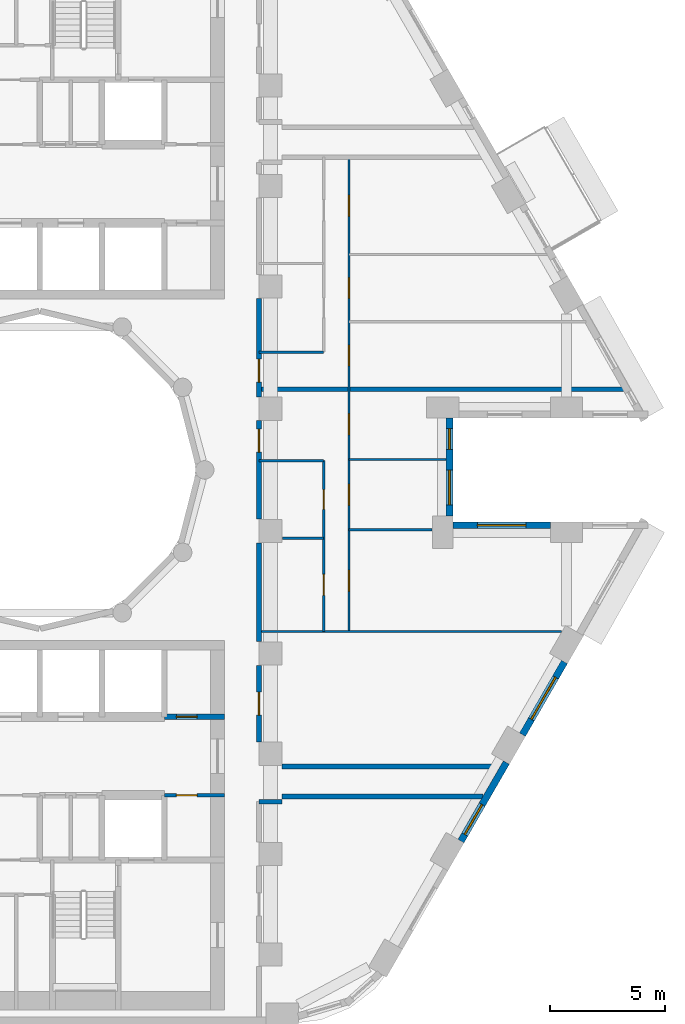
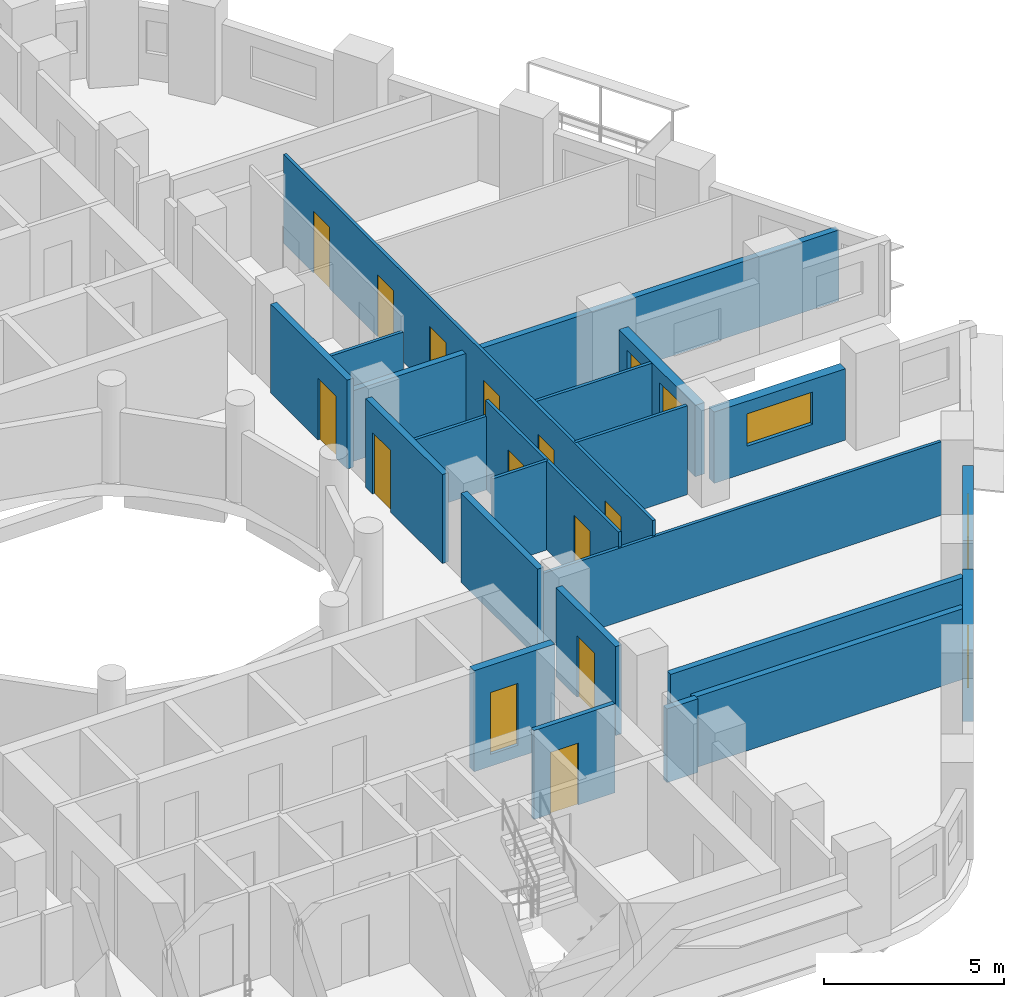
# One storey, part 5 of 13: 22 walls, 13 doors, 5 windows, 18 openings.
"""IFC4 building model written with IfcOpenShell, lengths in metres."""

from ifc_helpers import new_model, si_unit, direction, frame, frame_2d, origin, place, context, subcontext, project, spatial, rectangle, extrude, material, layer, layer_set, type_object, element, fill, save


model = new_model("IFC4")

# Units and contexts
model_context = context("Model", 3, precision=1e-05, world=origin(), true_north=direction((0.0, 1.0)))
body_context = subcontext(model_context, "Body", "Model", "MODEL_VIEW")
ifc_project = project(units=[si_unit("LENGTHUNIT", "METRE"), si_unit("AREAUNIT", "SQUARE_METRE"), si_unit("VOLUMEUNIT", "CUBIC_METRE"), si_unit("PLANEANGLEUNIT", "RADIAN"), si_unit("MASSUNIT", "GRAM", prefix="KILO")], contexts=[model_context])

# Site, building, storey
site_placement = place(None, origin())
site = spatial("IfcSite", under=ifc_project, at=site_placement, CompositionType="ELEMENT")
building_placement = place(site_placement, origin())
building = spatial("IfcBuilding", under=site, at=building_placement, Name="Nakaniwa Court", CompositionType="ELEMENT")
storey_placement = place(building_placement, frame((0.0, 0.0, 77.699951171875)))
storey = spatial("IfcBuildingStorey", under=building, at=storey_placement, Name="L19", CompositionType="ELEMENT", Elevation=77.699951171875)

# Wall, opening, door
ifc_material_1 = material(Name="Acoustic double stud partition")
ifc_layer_1 = layer(ifc_material_1, 0.199951171875)
ifc_layer_set_1 = layer_set([ifc_layer_1], Name="Acoustic double stud partition")
wall_type_1 = type_object("IfcWallType", Name="Acoustic double stud partition 200", PredefinedType="PARTITIONING", material=ifc_layer_set_1)
wall_1_placement = place(storey_placement, frame((89.5, 71.532958984375, 0.0), z_axis=(0.0, 0.0, 1.0), x_axis=(0.0, -1.0, 0.0)))
wall_1 = element("IfcWall", 1, at=wall_1_placement, inside=storey, type_object=wall_type_1, Name="Partition PW-072", PredefinedType="PARTITIONING", context=body_context, shape_type="SweptSolid", body=[
    extrude(rectangle(XDim=3.31591796875, YDim=0.199951171875, at=frame_2d((1.657958984375, 0.0))), origin(), (0.0, 0.0, 1.0), 3.025146484375),
])
opening_1_placement = place(wall_1_placement, frame((1.157958984375, 0.0, 0.0)))
opening_1 = element("IfcOpeningElement", 2, at=opening_1_placement, cuts=wall_1, Name="Opening D-02-01", PredefinedType="OPENING", context=body_context, shape_type="SweptSolid", body=[
    extrude(rectangle(XDim=1.0, YDim=2.10009765625, at=frame_2d((0.5, 1.050048828125))), frame((0.0, 0.10986328125, 0.0), z_axis=(0.0, -1.0, 0.0), x_axis=(1.0, 0.0, 0.0)), (0.0, 0.0, 1.0), 0.219970703125),
])
ifc_material_2 = material(Name="Solid core timber door set, black veneer", Category="wood")
door_type_1 = type_object("IfcDoorType", Name="Internal door 1000", OperationType="NOTDEFINED", PredefinedType="DOOR", material=ifc_material_2)
door_1_placement = place(opening_1_placement, origin())
door_1 = element("IfcDoor", 3, at=door_1_placement, inside=storey, type_object=door_type_1, Name="Door D-02-01 L19-027", OperationType="SINGLE_SWING_RIGHT", OverallHeight=2.10009765625, OverallWidth=1.0, PredefinedType="DOOR", context=body_context, shape_type="SweptSolid", body=[
    extrude(rectangle(XDim=1.0, YDim=2.10009765625, at=frame_2d((0.5, 1.050048828125))), frame((0.0, 0.02490234375, 0.0), z_axis=(0.0, -1.0, 0.0), x_axis=(1.0, 0.0, 0.0)), (0.0, 0.0, 1.0), 0.050048828125),
])
fill(opening_1, door_1)

# Wall
wall_2_placement = place(storey_placement, frame((89.5, 72.56689453125, 0.0), z_axis=(0.0, 0.0, 1.0), x_axis=(0.0, 1.0, 0.0)))
element("IfcWall", 4, at=wall_2_placement, inside=storey, type_object=wall_type_1, Name="Partition PW-073", PredefinedType="PARTITIONING", context=body_context, shape_type="SweptSolid", body=[
    extrude(rectangle(XDim=4.26611328125, YDim=0.199951171875, at=frame_2d((2.133056640625, 0.0))), origin(), (0.0, 0.0, 1.0), 3.025146484375),
])

# Wall, opening, door
wall_3_placement = place(storey_placement, frame((89.5, 82.133056640625, 0.0), z_axis=(0.0, 0.0, 1.0), x_axis=(0.0, -1.0, 0.0)))
wall_3 = element("IfcWall", 5, at=wall_3_placement, inside=storey, type_object=wall_type_1, Name="Partition PW-074", PredefinedType="PARTITIONING", context=body_context, shape_type="SweptSolid", body=[
    extrude(rectangle(XDim=4.26611328125, YDim=0.199951171875, at=frame_2d((2.133056640625, 0.0))), origin(), (0.0, 0.0, 1.0), 3.025146484375),
])
opening_2_placement = place(wall_3_placement, frame((0.367919921875, 0.0, 0.0)))
opening_2 = element("IfcOpeningElement", 6, at=opening_2_placement, cuts=wall_3, Name="Opening D-01-01", PredefinedType="OPENING", context=body_context, shape_type="SweptSolid", body=[
    extrude(rectangle(XDim=1.0, YDim=2.10009765625, at=frame_2d((0.5, 1.050048828125))), frame((0.0, 0.10986328125, 0.0), z_axis=(0.0, -1.0, 0.0), x_axis=(1.0, 0.0, 0.0)), (0.0, 0.0, 1.0), 0.219970703125),
])
door_type_2 = type_object("IfcDoorType", Name="Flat entrance door 1000", OperationType="NOTDEFINED", PredefinedType="DOOR", material=ifc_material_2)
door_2_placement = place(opening_2_placement, origin())
door_2 = element("IfcDoor", 7, at=door_2_placement, inside=storey, type_object=door_type_2, Name="Door D-01-01 L19-028", OperationType="SINGLE_SWING_LEFT", OverallHeight=2.10009765625, OverallWidth=1.0, PredefinedType="DOOR", context=body_context, shape_type="SweptSolid", body=[
    extrude(rectangle(XDim=1.0, YDim=2.10009765625, at=frame_2d((0.5, 1.050048828125))), frame((0.0, 0.02490234375, 0.0), z_axis=(0.0, -1.0, 0.0), x_axis=(1.0, 0.0, 0.0)), (0.0, 0.0, 1.0), 0.050048828125),
])
fill(opening_2, door_2)

wall_4_placement = place(storey_placement, frame((89.5, 87.43310546875, 0.0), z_axis=(0.0, 0.0, 1.0), x_axis=(0.0, -1.0, 0.0)))
wall_4 = element("IfcWall", 8, at=wall_4_placement, inside=storey, type_object=wall_type_1, Name="Partition PW-075", PredefinedType="PARTITIONING", context=body_context, shape_type="SweptSolid", body=[
    extrude(rectangle(XDim=4.26611328125, YDim=0.199951171875, at=frame_2d((2.133056640625, 0.0))), origin(), (0.0, 0.0, 1.0), 3.025146484375),
])
opening_3_placement = place(wall_4_placement, frame((2.633056640625, 0.0, 0.0)))
opening_3 = element("IfcOpeningElement", 9, at=opening_3_placement, cuts=wall_4, Name="Opening D-01-02", PredefinedType="OPENING", context=body_context, shape_type="SweptSolid", body=[
    extrude(rectangle(XDim=1.0, YDim=2.10009765625, at=frame_2d((0.5, 1.050048828125))), frame((0.0, 0.10986328125, 0.0), z_axis=(0.0, -1.0, 0.0), x_axis=(1.0, 0.0, 0.0)), (0.0, 0.0, 1.0), 0.219970703125),
])
door_3_placement = place(opening_3_placement, origin())
door_3 = element("IfcDoor", 10, at=door_3_placement, inside=storey, type_object=door_type_2, Name="Door D-01-02 L19-034", OperationType="SINGLE_SWING_LEFT", OverallHeight=2.10009765625, OverallWidth=1.0, PredefinedType="DOOR", context=body_context, shape_type="SweptSolid", body=[
    extrude(rectangle(XDim=1.0, YDim=2.10009765625, at=frame_2d((0.5, 1.050048828125))), frame((0.0, 0.02490234375, 0.0), z_axis=(0.0, -1.0, 0.0), x_axis=(1.0, 0.0, 0.0)), (0.0, 0.0, 1.0), 0.050048828125),
])
fill(opening_3, door_3)

# Walls
wall_5_placement = place(storey_placement, frame((90.5, 67.14990234375, 0.0), z_axis=(0.0, 0.0, 1.0), x_axis=(1.0, 0.0, 0.0)))
element("IfcWall", 11, at=wall_5_placement, inside=storey, type_object=wall_type_1, Name="Partition PW-090", PredefinedType="PARTITIONING", context=body_context, shape_type="SweptSolid", body=[
    extrude(rectangle(XDim=9.447509765625, YDim=0.199951171875, at=frame_2d((4.7236328125, 0.0))), origin(), (0.0, 0.0, 1.0), 2.405029296875),
])
wall_6_placement = place(storey_placement, frame((90.5, 65.85009765625, 0.0), z_axis=(0.0, 0.0, 1.0), x_axis=(1.0, 0.0, 0.0)))
element("IfcWall", 12, at=wall_6_placement, inside=storey, type_object=wall_type_1, Name="Partition PW-092", PredefinedType="PARTITIONING", context=body_context, shape_type="SweptSolid", body=[
    extrude(rectangle(XDim=8.697021484375, YDim=0.199951171875, at=frame_2d((4.3486328125, 0.0))), origin(), (0.0, 0.0, 1.0), 2.405029296875),
])
wall_7_placement = place(storey_placement, frame((89.5, 65.625, 0.0), z_axis=(0.0, 0.0, 1.0), x_axis=(1.0, 0.0, 0.0)))
element("IfcWall", 13, at=wall_7_placement, inside=storey, type_object=wall_type_1, Name="Partition PW-094", PredefinedType="PARTITIONING", context=body_context, shape_type="SweptSolid", body=[
    extrude(rectangle(XDim=1.0, YDim=0.199951171875, at=frame_2d((0.5, 0.0))), origin(), (0.0, 0.0, 1.0), 2.505126953125),
])
wall_8_placement = place(storey_placement, frame((89.5, 83.5, 0.0), z_axis=(0.0, 0.0, 1.0), x_axis=(1.0, 0.0, 0.0)))
element("IfcWall", 14, at=wall_8_placement, inside=storey, type_object=wall_type_1, Name="Partition PW-113", PredefinedType="PARTITIONING", context=body_context, shape_type="SweptSolid", body=[
    extrude(rectangle(XDim=15.845703125, YDim=0.199951171875, at=frame_2d((7.9228515625, 0.0))), origin(), (0.0, 0.0, 1.0), 2.405029296875),
])

# Wall, opening, window
ifc_material_3 = material(Name="Charcoal ceramic cladding")
ifc_layer_2 = layer(ifc_material_3, 0.02, Name="Ceramic cladding")
ifc_material_4 = material(Name="Ventilated air cavity")
ifc_layer_3 = layer(ifc_material_4, 0.04, ventilated=True, Name="Ventilated cavity")
ifc_material_5 = material(Name="Mineral wool insulation")
ifc_layer_4 = layer(ifc_material_5, 0.1, Name="Insulation")
ifc_material_6 = material(Name="Cement bonded sheathing board")
ifc_layer_5 = layer(ifc_material_6, 0.012, Name="Sheathing")
ifc_material_7 = material(Name="Cold-formed galvanised stud frame with mineral wool infill")
ifc_layer_6 = layer(ifc_material_7, 0.1, Name="Stud frame")
ifc_material_8 = material(Name="Fire-rated gypsum plasterboard lining")
ifc_layer_7 = layer(ifc_material_8, 0.028, Name="Lining")
ifc_layer_set_2 = layer_set([ifc_layer_2, ifc_layer_3, ifc_layer_4, ifc_layer_5, ifc_layer_6, ifc_layer_7], Name="Charcoal ceramic faced external wall system")
wall_type_2 = type_object("IfcWallType", Name="Black ceramic faced external wall 300", PredefinedType="SOLIDWALL", material=ifc_layer_set_2)
wall_9_placement = place(storey_placement, frame((98.25341796875, 63.91552734375, 0.0), z_axis=(0.0, 0.0, 1.0), x_axis=(0.499957037901, 0.866050206543, 0.0)))
wall_9 = element("IfcWall", 15, at=wall_9_placement, inside=storey, type_object=wall_type_2, Name="L19 external wall 30", PredefinedType="SOLIDWALL", context=body_context, shape_type="SweptSolid", body=[
    extrude(rectangle(XDim=3.933837890625, YDim=0.300048828125, at=frame_2d((1.966796875, 0.0))), origin(), (0.0, 0.0, 1.0), 2.425048828125),
])
opening_4_placement = place(wall_9_placement, frame((0.32958984375, 0.0, 0.89990234375)))
opening_4 = element("IfcOpeningElement", 16, at=opening_4_placement, cuts=wall_9, Name="Opening W5.30", PredefinedType="OPENING", context=body_context, shape_type="SweptSolid", body=[
    extrude(rectangle(XDim=1.5, YDim=1.10009765625, at=frame_2d((0.75, 0.550048828125))), frame((0.0, 0.159912109375, 0.0), z_axis=(0.0, -1.0, 0.0), x_axis=(1.0, 0.0, 0.0)), (0.0, 0.0, 1.0), 0.320068359375),
])
ifc_material_9 = material(Name="Black anodised aluminium frame with dark low-E laminated double glazing", Category="aluminium")
window_type_1 = type_object("IfcWindowType", Name="Dark glass window 1500x1100 sill 900", PartitioningType="SINGLE_PANEL", PredefinedType="WINDOW", material=ifc_material_9)
window_1_placement = place(opening_4_placement, origin())
window_1 = element("IfcWindow", 17, at=window_1_placement, inside=storey, type_object=window_type_1, Name="L19 habitable room window 30-0", OverallHeight=1.10009765625, OverallWidth=1.5, PartitioningType="SINGLE_PANEL", PredefinedType="WINDOW", context=body_context, shape_type="SweptSolid", body=[
    extrude(rectangle(XDim=1.5, YDim=1.10009765625, at=frame_2d((0.75, 0.550048828125))), frame((0.0, 0.030029296875, 0.0), z_axis=(0.0, -1.0, 0.0), x_axis=(1.0, 0.0, 0.0)), (0.0, 0.0, 1.0), 0.06005859375),
])
fill(opening_4, window_1)

wall_10_placement = place(storey_placement, frame((100.916259765625, 68.528076171875, 0.0), z_axis=(0.0, 0.0, 1.0), x_axis=(0.500009139881, 0.866020126807, 0.0)))
wall_10 = element("IfcWall", 18, at=wall_10_placement, inside=storey, type_object=wall_type_2, Name="L19 external wall 31", PredefinedType="SOLIDWALL", context=body_context, shape_type="SweptSolid", body=[
    extrude(rectangle(XDim=3.63671875, YDim=0.300048828125, at=frame_2d((1.818359375, 0.0))), origin(), (0.0, 0.0, 1.0), 2.425048828125),
])
opening_5_placement = place(wall_10_placement, frame((0.768310546875, 0.0, 0.89990234375)))
opening_5 = element("IfcOpeningElement", 19, at=opening_5_placement, cuts=wall_10, Name="Opening W7.31", PredefinedType="OPENING", context=body_context, shape_type="SweptSolid", body=[
    extrude(rectangle(XDim=2.10009765625, YDim=1.10009765625, at=frame_2d((1.050048828125, 0.550048828125))), frame((0.0, 0.159912109375, 0.0), z_axis=(0.0, -1.0, 0.0), x_axis=(1.0, 0.0, 0.0)), (0.0, 0.0, 1.0), 0.320068359375),
])
window_type_2 = type_object("IfcWindowType", Name="Dark glass window 2100x1100 sill 900", PartitioningType="SINGLE_PANEL", PredefinedType="WINDOW", material=ifc_material_9)
window_2_placement = place(opening_5_placement, origin())
window_2 = element("IfcWindow", 20, at=window_2_placement, inside=storey, type_object=window_type_2, Name="L19 habitable room window 31-0", OverallHeight=1.10009765625, OverallWidth=2.10009765625, PartitioningType="SINGLE_PANEL", PredefinedType="WINDOW", context=body_context, shape_type="SweptSolid", body=[
    extrude(rectangle(XDim=2.10009765625, YDim=1.10009765625, at=frame_2d((1.050048828125, 0.550048828125))), frame((0.0, 0.030029296875, 0.0), z_axis=(0.0, -1.0, 0.0), x_axis=(1.0, 0.0, 0.0)), (0.0, 0.0, 1.0), 0.06005859375),
])
fill(opening_5, window_2)

wall_11_placement = place(storey_placement, frame((102.126953125, 77.60009765625, 0.0), z_axis=(0.0, 0.0, 1.0), x_axis=(-1.0, 0.0, 0.0)))
wall_11 = element("IfcWall", 21, at=wall_11_placement, inside=storey, type_object=wall_type_2, Name="L19 external wall 34", PredefinedType="SOLIDWALL", context=body_context, shape_type="SweptSolid", body=[
    extrude(rectangle(XDim=4.22265625, YDim=0.300048828125, at=frame_2d((2.111328125, 0.0))), origin(), (0.0, 0.0, 1.0), 2.425048828125),
])
opening_6_placement = place(wall_11_placement, frame((1.061279296875, 0.0, 0.89990234375)))
opening_6 = element("IfcOpeningElement", 22, at=opening_6_placement, cuts=wall_11, Name="Opening W7.34", PredefinedType="OPENING", context=body_context, shape_type="SweptSolid", body=[
    extrude(rectangle(XDim=2.10009765625, YDim=1.10009765625, at=frame_2d((1.050048828125, 0.550048828125))), frame((0.0, 0.159912109375, 0.0), z_axis=(0.0, -1.0, 0.0), x_axis=(1.0, 0.0, 0.0)), (0.0, 0.0, 1.0), 0.320068359375),
])
window_3_placement = place(opening_6_placement, origin())
window_3 = element("IfcWindow", 23, at=window_3_placement, inside=storey, type_object=window_type_2, Name="L19 living window 34-0", OverallHeight=1.10009765625, OverallWidth=2.10009765625, PartitioningType="SINGLE_PANEL", PredefinedType="WINDOW", context=body_context, shape_type="SweptSolid", body=[
    extrude(rectangle(XDim=2.10009765625, YDim=1.10009765625, at=frame_2d((1.050048828125, 0.550048828125))), frame((0.0, 0.030029296875, 0.0), z_axis=(0.0, -1.0, 0.0), x_axis=(1.0, 0.0, 0.0)), (0.0, 0.0, 1.0), 0.06005859375),
])
fill(opening_6, window_3)

# Wall, openings, windows
wall_12_placement = place(storey_placement, frame((97.75830078125, 77.99609375, 0.0), z_axis=(0.0, 0.0, 1.0), x_axis=(0.0, 1.0, 0.0)))
wall_12 = element("IfcWall", 24, at=wall_12_placement, inside=storey, type_object=wall_type_2, Name="L19 external wall 35", PredefinedType="SOLIDWALL", context=body_context, shape_type="SweptSolid", body=[
    extrude(rectangle(XDim=4.2578125, YDim=0.300048828125, at=frame_2d((2.12890625, 0.0))), origin(), (0.0, 0.0, 1.0), 2.425048828125),
])
opening_7_placement = place(wall_12_placement, frame((0.48974609375, 0.0, 0.89990234375)))
opening_7 = element("IfcOpeningElement", 25, at=opening_7_placement, cuts=wall_12, Name="Opening W5.35", PredefinedType="OPENING", context=body_context, shape_type="SweptSolid", body=[
    extrude(rectangle(XDim=1.5, YDim=1.10009765625, at=frame_2d((0.75, 0.550048828125))), frame((0.0, 0.159912109375, 0.0), z_axis=(0.0, -1.0, 0.0), x_axis=(1.0, 0.0, 0.0)), (0.0, 0.0, 1.0), 0.320068359375),
])
opening_8_placement = place(wall_12_placement, frame((2.894775390625, 0.0, 0.89990234375)))
opening_8 = element("IfcOpeningElement", 26, at=opening_8_placement, cuts=wall_12, Name="Opening W9.36", PredefinedType="OPENING", context=body_context, shape_type="SweptSolid", body=[
    extrude(rectangle(XDim=0.89990234375, YDim=1.10009765625, at=frame_2d((0.449951171875, 0.550048828125))), frame((0.0, 0.159912109375, 0.0), z_axis=(0.0, -1.0, 0.0), x_axis=(1.0, 0.0, 0.0)), (0.0, 0.0, 1.0), 0.320068359375),
])
window_4_placement = place(opening_7_placement, origin())
window_4 = element("IfcWindow", 27, at=window_4_placement, inside=storey, type_object=window_type_1, Name="L19 bedroom window 35-0", OverallHeight=1.10009765625, OverallWidth=1.5, PartitioningType="SINGLE_PANEL", PredefinedType="WINDOW", context=body_context, shape_type="SweptSolid", body=[
    extrude(rectangle(XDim=1.5, YDim=1.10009765625, at=frame_2d((0.75, 0.550048828125))), frame((0.0, 0.030029296875, 0.0), z_axis=(0.0, -1.0, 0.0), x_axis=(1.0, 0.0, 0.0)), (0.0, 0.0, 1.0), 0.06005859375),
])
fill(opening_7, window_4)
window_type_3 = type_object("IfcWindowType", Name="Dark glass window 900x1100 sill 900", PartitioningType="SINGLE_PANEL", PredefinedType="WINDOW", material=ifc_material_9)
window_5_placement = place(opening_8_placement, origin())
window_5 = element("IfcWindow", 28, at=window_5_placement, inside=storey, type_object=window_type_3, Name="L19 bedroom window 35-1", OverallHeight=1.10009765625, OverallWidth=0.89990234375, PartitioningType="SINGLE_PANEL", PredefinedType="WINDOW", context=body_context, shape_type="SweptSolid", body=[
    extrude(rectangle(XDim=0.89990234375, YDim=1.10009765625, at=frame_2d((0.449951171875, 0.550048828125))), frame((0.0, 0.030029296875, 0.0), z_axis=(0.0, -1.0, 0.0), x_axis=(1.0, 0.0, 0.0)), (0.0, 0.0, 1.0), 0.06005859375),
])
fill(opening_8, window_5)

# Wall, opening, door
ifc_material_10 = material(Name="Blockwork partition", Category="masonry")
ifc_layer_8 = layer(ifc_material_10, 0.14990234375)
ifc_layer_set_3 = layer_set([ifc_layer_8], Name="Blockwork partition")
wall_type_3 = type_object("IfcWallType", Name="Blockwork partition 150", PredefinedType="PARTITIONING", material=ifc_layer_set_3)
wall_13_placement = place(storey_placement, frame((88.0, 65.89990234375, 0.0), z_axis=(0.0, 0.0, 1.0), x_axis=(-1.0, 0.0, 0.0)))
wall_13 = element("IfcWall", 29, at=wall_13_placement, inside=storey, type_object=wall_type_3, Name="Partition PW-052", PredefinedType="PARTITIONING", context=body_context, shape_type="SweptSolid", body=[
    extrude(rectangle(XDim=2.60302734375, YDim=0.14990234375, at=frame_2d((1.301513671875, 0.0))), origin(), (0.0, 0.0, 1.0), 3.025146484375),
])
opening_9_placement = place(wall_13_placement, frame((1.175048828125, 0.0, 0.0)))
opening_9 = element("IfcOpeningElement", 30, at=opening_9_placement, cuts=wall_13, Name="Opening D-05-14", PredefinedType="OPENING", context=body_context, shape_type="SweptSolid", body=[
    extrude(rectangle(XDim=0.89990234375, YDim=2.10009765625, at=frame_2d((0.449951171875, 1.050048828125))), frame((0.0, 0.0849609375, 0.0), z_axis=(0.0, -1.0, 0.0), x_axis=(1.0, 0.0, 0.0)), (0.0, 0.0, 1.0), 0.169921875),
])
ifc_material_11 = material(Name="Fire rated steel door set", Category="steel")
door_type_3 = type_object("IfcDoorType", Name="Service room door 900", OperationType="NOTDEFINED", PredefinedType="DOOR", material=ifc_material_11)
door_4_placement = place(opening_9_placement, origin())
door_4 = element("IfcDoor", 31, at=door_4_placement, inside=storey, type_object=door_type_3, Name="Door D-05-14 L19-021", OperationType="SINGLE_SWING_RIGHT", OverallHeight=2.10009765625, OverallWidth=0.89990234375, PredefinedType="DOOR", context=body_context, shape_type="SweptSolid", body=[
    extrude(rectangle(XDim=0.89990234375, YDim=2.10009765625, at=frame_2d((0.449951171875, 1.050048828125))), frame((0.0, 0.02490234375, 0.0), z_axis=(0.0, -1.0, 0.0), x_axis=(1.0, 0.0, 0.0)), (0.0, 0.0, 1.0), 0.050048828125),
])
fill(opening_9, door_4)

ifc_material_12 = material(Name="Concrete C80/100", Category="concrete")
ifc_layer_9 = layer(ifc_material_12, 0.25)
ifc_layer_set_4 = layer_set([ifc_layer_9], Name="Concrete C80/100")
wall_type_4 = type_object("IfcWallType", Name="Concrete shaft wall 250 C80", PredefinedType="SHEAR", material=ifc_layer_set_4)
wall_14_placement = place(storey_placement, frame((85.39990234375, 69.300048828125, -0.409912109375), z_axis=(0.0, 0.0, 1.0), x_axis=(1.0, 0.0, 0.0)))
wall_14 = element("IfcWall", 32, at=wall_14_placement, inside=storey, type_object=wall_type_4, Name="Core wall SW-48", PredefinedType="SHEAR", context=body_context, shape_type="SweptSolid", body=[
    extrude(rectangle(XDim=2.60009765625, YDim=0.25, at=frame_2d((1.300048828125, 0.0))), origin(), (0.0, 0.0, 1.0), 3.43505859375),
])
opening_10_placement = place(wall_14_placement, frame((0.52490234375, 0.0, 0.409912109375)))
opening_10 = element("IfcOpeningElement", 33, at=opening_10_placement, cuts=wall_14, Name="Opening D-05-10", PredefinedType="OPENING", context=body_context, shape_type="SweptSolid", body=[
    extrude(rectangle(XDim=0.89990234375, YDim=2.10009765625, at=frame_2d((0.449951171875, 1.050048828125))), frame((0.0, 0.135009765625, 0.0), z_axis=(0.0, -1.0, 0.0), x_axis=(1.0, 0.0, 0.0)), (0.0, 0.0, 1.0), 0.27001953125),
])
door_5_placement = place(opening_10_placement, origin())
door_5 = element("IfcDoor", 34, at=door_5_placement, inside=storey, type_object=door_type_3, Name="Door D-05-10 L19-015", OperationType="SINGLE_SWING_RIGHT", OverallHeight=2.10009765625, OverallWidth=0.89990234375, PredefinedType="DOOR", context=body_context, shape_type="SweptSolid", body=[
    extrude(rectangle(XDim=0.89990234375, YDim=2.10009765625, at=frame_2d((0.449951171875, 1.050048828125))), frame((0.0, 0.02490234375, 0.0), z_axis=(0.0, -1.0, 0.0), x_axis=(1.0, 0.0, 0.0)), (0.0, 0.0, 1.0), 0.050048828125),
])
fill(opening_10, door_5)

# Walls
ifc_material_13 = material(Name="Single stud plasterboard partition")
ifc_layer_10 = layer(ifc_material_13, 0.10009765625)
ifc_layer_set_5 = layer_set([ifc_layer_10], Name="Single stud plasterboard partition")
wall_type_5 = type_object("IfcWallType", Name="Single stud plasterboard partition 100", PredefinedType="PARTITIONING", material=ifc_layer_set_5)
wall_15_placement = place(storey_placement, frame((89.5, 73.0, 0.0), z_axis=(0.0, 0.0, 1.0), x_axis=(1.0, 0.0, 0.0)))
element("IfcWall", 35, at=wall_15_placement, inside=storey, type_object=wall_type_5, Name="Partition PW-107", PredefinedType="PARTITIONING", context=body_context, shape_type="SweptSolid", body=[
    extrude(rectangle(XDim=13.109130859375, YDim=0.10009765625, at=frame_2d((6.5546875, 0.0))), origin(), (0.0, 0.0, 1.0), 2.505126953125),
])
wall_16_placement = place(storey_placement, frame((90.52001953125, 77.035888671875, 0.0), z_axis=(0.0, 0.0, 1.0), x_axis=(1.0, 0.0, 0.0)))
element("IfcWall", 36, at=wall_16_placement, inside=storey, type_object=wall_type_5, Name="Partition PW-108", PredefinedType="PARTITIONING", context=body_context, shape_type="SweptSolid", body=[
    extrude(rectangle(XDim=1.780029296875, YDim=0.10009765625, at=frame_2d((0.89013671875, 0.0))), origin(), (0.0, 0.0, 1.0), 3.025146484375),
])

# Wall, openings, doors
wall_17_placement = place(storey_placement, frame((92.300048828125, 73.0, 0.0), z_axis=(0.0, 0.0, 1.0), x_axis=(0.0, 1.0, 0.0)))
wall_17 = element("IfcWall", 37, at=wall_17_placement, inside=storey, type_object=wall_type_5, Name="Partition PW-109", PredefinedType="PARTITIONING", context=body_context, shape_type="SweptSolid", body=[
    extrude(rectangle(XDim=7.39990234375, YDim=0.10009765625, at=frame_2d((3.699951171875, 0.0))), origin(), (0.0, 0.0, 1.0), 3.025146484375),
])
opening_11_placement = place(wall_17_placement, frame((1.568115234375, 0.0, 0.0)))
opening_11 = element("IfcOpeningElement", 38, at=opening_11_placement, cuts=wall_17, Name="Opening D-33-01", PredefinedType="OPENING", context=body_context, shape_type="SweptSolid", body=[
    extrude(rectangle(XDim=0.89990234375, YDim=2.10009765625, at=frame_2d((0.449951171875, 1.050048828125))), frame((0.0, 0.06005859375, 0.0), z_axis=(0.0, -1.0, 0.0), x_axis=(1.0, 0.0, 0.0)), (0.0, 0.0, 1.0), 0.1201171875),
])
opening_12_placement = place(wall_17_placement, frame((5.29296875, 0.0, 0.0)))
opening_12 = element("IfcOpeningElement", 39, at=opening_12_placement, cuts=wall_17, Name="Opening D-03-01", PredefinedType="OPENING", context=body_context, shape_type="SweptSolid", body=[
    extrude(rectangle(XDim=0.85009765625, YDim=2.10009765625, at=frame_2d((0.425048828125, 1.050048828125))), frame((0.0, 0.06005859375, 0.0), z_axis=(0.0, -1.0, 0.0), x_axis=(1.0, 0.0, 0.0)), (0.0, 0.0, 1.0), 0.1201171875),
])
ifc_material_14 = material(Name="Moisture sealed timber door set", Category="wood")
door_type_4 = type_object("IfcDoorType", Name="Bathroom door 850", OperationType="NOTDEFINED", PredefinedType="DOOR", material=ifc_material_14)
door_6_placement = place(opening_12_placement, origin())
door_6 = element("IfcDoor", 40, at=door_6_placement, inside=storey, type_object=door_type_4, Name="Door D-03-01 L19-030", OperationType="SINGLE_SWING_LEFT", OverallHeight=2.10009765625, OverallWidth=0.85009765625, PredefinedType="DOOR", context=body_context, shape_type="SweptSolid", body=[
    extrude(rectangle(XDim=0.85009765625, YDim=2.10009765625, at=frame_2d((0.425048828125, 1.050048828125))), frame((0.0, 0.02490234375, 0.0), z_axis=(0.0, -1.0, 0.0), x_axis=(1.0, 0.0, 0.0)), (0.0, 0.0, 1.0), 0.050048828125),
])
fill(opening_12, door_6)
door_type_5 = type_object("IfcDoorType", Name="Internal door 900", OperationType="NOTDEFINED", PredefinedType="DOOR", material=ifc_material_2)
door_7_placement = place(opening_11_placement, origin())
door_7 = element("IfcDoor", 41, at=door_7_placement, inside=storey, type_object=door_type_5, Name="Door D-33-01 L19-029", OperationType="SINGLE_SWING_RIGHT", OverallHeight=2.10009765625, OverallWidth=0.89990234375, PredefinedType="DOOR", context=body_context, shape_type="SweptSolid", body=[
    extrude(rectangle(XDim=0.89990234375, YDim=2.10009765625, at=frame_2d((0.449951171875, 1.050048828125))), frame((0.0, 0.02490234375, 0.0), z_axis=(0.0, -1.0, 0.0), x_axis=(1.0, 0.0, 0.0)), (0.0, 0.0, 1.0), 0.050048828125),
])
fill(opening_11, door_7)

# Wall
wall_18_placement = place(storey_placement, frame((89.5, 80.39990234375, 0.0), z_axis=(0.0, 0.0, 1.0), x_axis=(1.0, 0.0, 0.0)))
element("IfcWall", 42, at=wall_18_placement, inside=storey, type_object=wall_type_5, Name="Partition PW-111", PredefinedType="PARTITIONING", context=body_context, shape_type="SweptSolid", body=[
    extrude(rectangle(XDim=2.800048828125, YDim=0.10009765625, at=frame_2d((1.39990234375, 0.0))), origin(), (0.0, 0.0, 1.0), 2.505126953125),
])

# Wall, openings, doors
wall_19_placement = place(storey_placement, frame((93.39990234375, 93.550048828125, 0.0), z_axis=(0.0, 0.0, 1.0), x_axis=(0.0, -1.0, 0.0)))
wall_19 = element("IfcWall", 43, at=wall_19_placement, inside=storey, type_object=wall_type_5, Name="Partition PW-112", PredefinedType="PARTITIONING", context=body_context, shape_type="SweptSolid", body=[
    extrude(rectangle(XDim=20.550048828125, YDim=0.10009765625, at=frame_2d((10.27490234375, 0.0))), origin(), (0.0, 0.0, 1.0), 3.025146484375),
])
opening_13_placement = place(wall_19_placement, frame((17.89794921875, 0.0, 0.0)))
opening_13 = element("IfcOpeningElement", 44, at=opening_13_placement, cuts=wall_19, Name="Opening D-33-02", PredefinedType="OPENING", context=body_context, shape_type="SweptSolid", body=[
    extrude(rectangle(XDim=0.89990234375, YDim=2.10009765625, at=frame_2d((0.449951171875, 1.050048828125))), frame((0.0, 0.06005859375, 0.0), z_axis=(0.0, -1.0, 0.0), x_axis=(1.0, 0.0, 0.0)), (0.0, 0.0, 1.0), 0.1201171875),
])
opening_14_placement = place(wall_19_placement, frame((14.173095703125, 0.0, 0.0)))
opening_14 = element("IfcOpeningElement", 45, at=opening_14_placement, cuts=wall_19, Name="Opening D-33-03", PredefinedType="OPENING", context=body_context, shape_type="SweptSolid", body=[
    extrude(rectangle(XDim=0.89990234375, YDim=2.10009765625, at=frame_2d((0.449951171875, 1.050048828125))), frame((0.0, 0.06005859375, 0.0), z_axis=(0.0, -1.0, 0.0), x_axis=(1.0, 0.0, 0.0)), (0.0, 0.0, 1.0), 0.1201171875),
])
opening_15_placement = place(wall_19_placement, frame((11.1240234375, 0.0, 0.0)))
opening_15 = element("IfcOpeningElement", 46, at=opening_15_placement, cuts=wall_19, Name="Opening D-33-04", PredefinedType="OPENING", context=body_context, shape_type="SweptSolid", body=[
    extrude(rectangle(XDim=0.89990234375, YDim=2.10009765625, at=frame_2d((0.449951171875, 1.050048828125))), frame((0.0, 0.06005859375, 0.0), z_axis=(0.0, -1.0, 0.0), x_axis=(1.0, 0.0, 0.0)), (0.0, 0.0, 1.0), 0.1201171875),
])
opening_16_placement = place(wall_19_placement, frame((8.14111328125, 0.0, 0.0)))
opening_16 = element("IfcOpeningElement", 47, at=opening_16_placement, cuts=wall_19, Name="Opening D-33-06", PredefinedType="OPENING", context=body_context, shape_type="SweptSolid", body=[
    extrude(rectangle(XDim=0.89990234375, YDim=2.10009765625, at=frame_2d((0.449951171875, 1.050048828125))), frame((0.0, 0.06005859375, 0.0), z_axis=(0.0, -1.0, 0.0), x_axis=(1.0, 0.0, 0.0)), (0.0, 0.0, 1.0), 0.1201171875),
])
opening_17_placement = place(wall_19_placement, frame((5.222900390625, 0.0, 0.0)))
opening_17 = element("IfcOpeningElement", 48, at=opening_17_placement, cuts=wall_19, Name="Opening D-33-07", PredefinedType="OPENING", context=body_context, shape_type="SweptSolid", body=[
    extrude(rectangle(XDim=0.89990234375, YDim=2.10009765625, at=frame_2d((0.449951171875, 1.050048828125))), frame((0.0, 0.06005859375, 0.0), z_axis=(0.0, -1.0, 0.0), x_axis=(1.0, 0.0, 0.0)), (0.0, 0.0, 1.0), 0.1201171875),
])
opening_18_placement = place(wall_19_placement, frame((1.656982421875, 0.0, 0.0)))
opening_18 = element("IfcOpeningElement", 49, at=opening_18_placement, cuts=wall_19, Name="Opening D-33-08", PredefinedType="OPENING", context=body_context, shape_type="SweptSolid", body=[
    extrude(rectangle(XDim=0.89990234375, YDim=2.10009765625, at=frame_2d((0.449951171875, 1.050048828125))), frame((0.0, 0.06005859375, 0.0), z_axis=(0.0, -1.0, 0.0), x_axis=(1.0, 0.0, 0.0)), (0.0, 0.0, 1.0), 0.1201171875),
])
door_8_placement = place(opening_13_placement, origin())
door_8 = element("IfcDoor", 50, at=door_8_placement, inside=storey, type_object=door_type_5, Name="Door D-33-02 L19-031", OperationType="SINGLE_SWING_RIGHT", OverallHeight=2.10009765625, OverallWidth=0.89990234375, PredefinedType="DOOR", context=body_context, shape_type="SweptSolid", body=[
    extrude(rectangle(XDim=0.89990234375, YDim=2.10009765625, at=frame_2d((0.449951171875, 1.050048828125))), frame((0.0, 0.02490234375, 0.0), z_axis=(0.0, -1.0, 0.0), x_axis=(1.0, 0.0, 0.0)), (0.0, 0.0, 1.0), 0.050048828125),
])
fill(opening_13, door_8)
door_9_placement = place(opening_14_placement, origin())
door_9 = element("IfcDoor", 51, at=door_9_placement, inside=storey, type_object=door_type_5, Name="Door D-33-03 L19-032", OperationType="SINGLE_SWING_LEFT", OverallHeight=2.10009765625, OverallWidth=0.89990234375, PredefinedType="DOOR", context=body_context, shape_type="SweptSolid", body=[
    extrude(rectangle(XDim=0.89990234375, YDim=2.10009765625, at=frame_2d((0.449951171875, 1.050048828125))), frame((0.0, 0.02490234375, 0.0), z_axis=(0.0, -1.0, 0.0), x_axis=(1.0, 0.0, 0.0)), (0.0, 0.0, 1.0), 0.050048828125),
])
fill(opening_14, door_9)
door_10_placement = place(opening_15_placement, origin())
door_10 = element("IfcDoor", 52, at=door_10_placement, inside=storey, type_object=door_type_5, Name="Door D-33-04 L19-033", OperationType="SINGLE_SWING_RIGHT", OverallHeight=2.10009765625, OverallWidth=0.89990234375, PredefinedType="DOOR", context=body_context, shape_type="SweptSolid", body=[
    extrude(rectangle(XDim=0.89990234375, YDim=2.10009765625, at=frame_2d((0.449951171875, 1.050048828125))), frame((0.0, 0.02490234375, 0.0), z_axis=(0.0, -1.0, 0.0), x_axis=(1.0, 0.0, 0.0)), (0.0, 0.0, 1.0), 0.050048828125),
])
fill(opening_15, door_10)
door_11_placement = place(opening_16_placement, origin())
door_11 = element("IfcDoor", 53, at=door_11_placement, inside=storey, type_object=door_type_5, Name="Door D-33-06 L19-037", OperationType="SINGLE_SWING_RIGHT", OverallHeight=2.10009765625, OverallWidth=0.89990234375, PredefinedType="DOOR", context=body_context, shape_type="SweptSolid", body=[
    extrude(rectangle(XDim=0.89990234375, YDim=2.10009765625, at=frame_2d((0.449951171875, 1.050048828125))), frame((0.0, 0.02490234375, 0.0), z_axis=(0.0, -1.0, 0.0), x_axis=(1.0, 0.0, 0.0)), (0.0, 0.0, 1.0), 0.050048828125),
])
fill(opening_16, door_11)
door_12_placement = place(opening_17_placement, origin())
door_12 = element("IfcDoor", 54, at=door_12_placement, inside=storey, type_object=door_type_5, Name="Door D-33-07 L19-038", OperationType="SINGLE_SWING_LEFT", OverallHeight=2.10009765625, OverallWidth=0.89990234375, PredefinedType="DOOR", context=body_context, shape_type="SweptSolid", body=[
    extrude(rectangle(XDim=0.89990234375, YDim=2.10009765625, at=frame_2d((0.449951171875, 1.050048828125))), frame((0.0, 0.02490234375, 0.0), z_axis=(0.0, -1.0, 0.0), x_axis=(1.0, 0.0, 0.0)), (0.0, 0.0, 1.0), 0.050048828125),
])
fill(opening_17, door_12)
door_13_placement = place(opening_18_placement, origin())
door_13 = element("IfcDoor", 55, at=door_13_placement, inside=storey, type_object=door_type_5, Name="Door D-33-08 L19-039", OperationType="SINGLE_SWING_RIGHT", OverallHeight=2.10009765625, OverallWidth=0.89990234375, PredefinedType="DOOR", context=body_context, shape_type="SweptSolid", body=[
    extrude(rectangle(XDim=0.89990234375, YDim=2.10009765625, at=frame_2d((0.449951171875, 1.050048828125))), frame((0.0, 0.02490234375, 0.0), z_axis=(0.0, -1.0, 0.0), x_axis=(1.0, 0.0, 0.0)), (0.0, 0.0, 1.0), 0.050048828125),
])
fill(opening_18, door_13)

# Walls
wall_20_placement = place(storey_placement, frame((93.39990234375, 77.403076171875, 0.0), z_axis=(0.0, 0.0, 1.0), x_axis=(1.0, 0.0, 0.0)))
element("IfcWall", 56, at=wall_20_placement, inside=storey, type_object=wall_type_5, Name="Partition PW-114", PredefinedType="PARTITIONING", context=body_context, shape_type="SweptSolid", body=[
    extrude(rectangle(XDim=3.58837890625, YDim=0.10009765625, at=frame_2d((1.794189453125, 0.0))), origin(), (0.0, 0.0, 1.0), 3.025146484375),
])
wall_21_placement = place(storey_placement, frame((93.39990234375, 80.451904296875, 0.0), z_axis=(0.0, 0.0, 1.0), x_axis=(1.0, 0.0, 0.0)))
element("IfcWall", 57, at=wall_21_placement, inside=storey, type_object=wall_type_5, Name="Partition PW-115", PredefinedType="PARTITIONING", context=body_context, shape_type="SweptSolid", body=[
    extrude(rectangle(XDim=4.20849609375, YDim=0.10009765625, at=frame_2d((2.104248046875, 0.0))), origin(), (0.0, 0.0, 1.0), 2.405029296875),
])
wall_22_placement = place(storey_placement, frame((89.5, 85.10009765625, 0.0), z_axis=(0.0, 0.0, 1.0), x_axis=(1.0, 0.0, 0.0)))
element("IfcWall", 58, at=wall_22_placement, inside=storey, type_object=wall_type_5, Name="Partition PW-117", PredefinedType="PARTITIONING", context=body_context, shape_type="SweptSolid", body=[
    extrude(rectangle(XDim=2.800048828125, YDim=0.10009765625, at=frame_2d((1.39990234375, 0.0))), origin(), (0.0, 0.0, 1.0), 2.505126953125),
])

save(model, "model.ifc")
